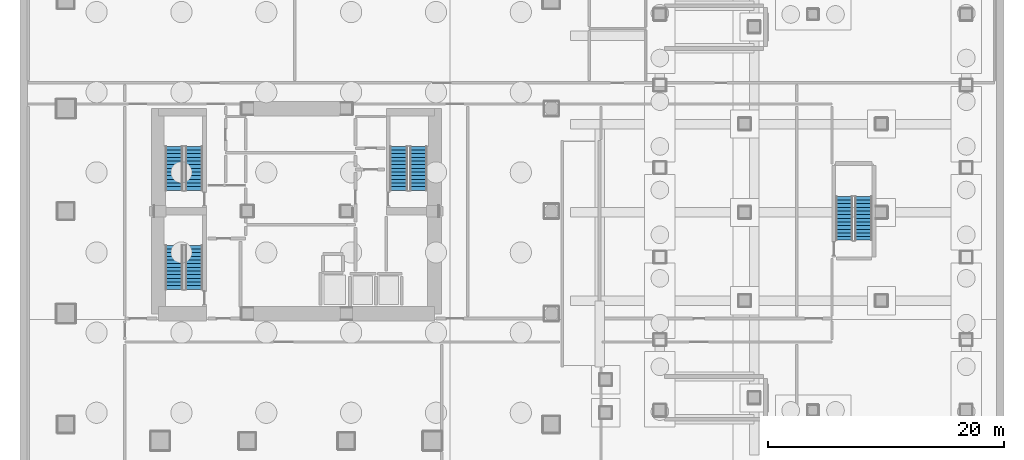
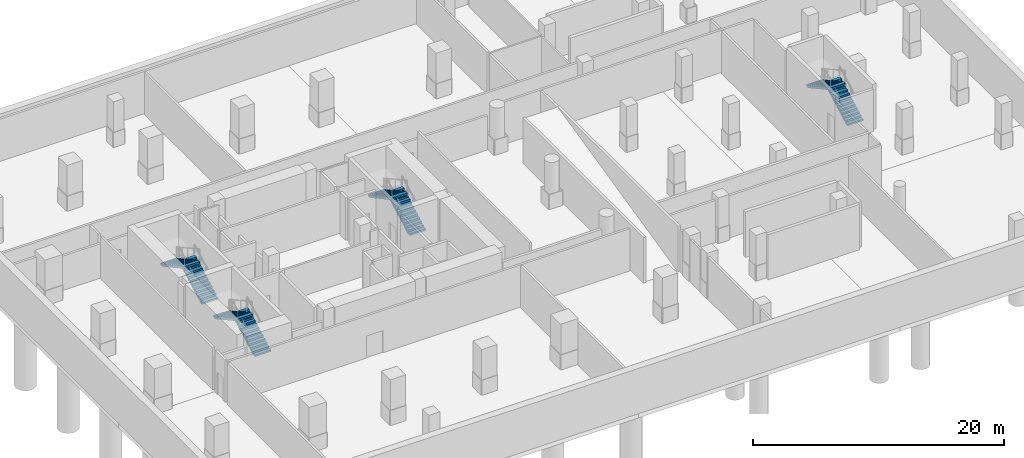
# One storey, part 10 of 13: 8 stair flights, 4 elements without a shape of their own.
"""IFC4 building model written with IfcOpenShell, lengths in metres."""

from ifc_helpers import new_model, si_unit, direction, frame, origin, place, context, subcontext, project, spatial, polyline, outline, extrude, material, type_object, element, aggregate, save


model = new_model("IFC4")

# Units and contexts
model_context = context("Model", 3, precision=1e-05, world=origin(), true_north=direction((0.0, 1.0)))
body_context = subcontext(model_context, "Body", "Model", "MODEL_VIEW")
ifc_project = project(units=[si_unit("LENGTHUNIT", "METRE"), si_unit("AREAUNIT", "SQUARE_METRE"), si_unit("VOLUMEUNIT", "CUBIC_METRE"), si_unit("PLANEANGLEUNIT", "RADIAN"), si_unit("MASSUNIT", "GRAM", prefix="KILO")], contexts=[model_context])

# Site, building, storey
site_placement = place(None, origin())
site = spatial("IfcSite", under=ifc_project, at=site_placement, CompositionType="ELEMENT")
building_placement = place(site_placement, origin())
building = spatial("IfcBuilding", under=site, at=building_placement, Name="Solanera Arch Residences", CompositionType="ELEMENT")
storey_placement = place(building_placement, frame((0.0, 0.0, -13.199951171875)))
storey = spatial("IfcBuildingStorey", under=building, at=storey_placement, Name="B03", CompositionType="ELEMENT", Elevation=-13.199951171875)

# Stair, stair flights
ifc_material_1 = material(Name="Concrete C40/50 (f'c = 45 MPa)", Category="concrete")
stair_type_1 = type_object("IfcStairType", Name="Basement Exit Stair 1440", PredefinedType="HALF_TURN_STAIR", material=ifc_material_1)
stair_1_placement = place(storey_placement, origin())
stair_1 = element("IfcStair", 1, at=stair_1_placement, inside=storey, type_object=stair_type_1, Name="B03 Basement Car Park Exit Stair", PredefinedType="HALF_TURN_STAIR")
ifc_material_2 = material(Name="Concrete C40/50 (f'c = 45 MPa)", Category="concrete")
stair_flight_type_1 = type_object("IfcStairFlightType", Name="Basement Precast Stair Flight 1440", PredefinedType="STRAIGHT", material=ifc_material_2)
stair_flight_1_placement = place(storey_placement, frame((73.080078125, 28.239990234375, 0.0), z_axis=(0.0, 0.0, 1.0), x_axis=(0.0, 1.0, 0.0)))
stair_flight_1 = element("IfcStairFlight", 2, at=stair_flight_1_placement, type_object=stair_flight_type_1, Name="ST-B1 flight 1", NumberOfRisers=13, NumberOfTreads=12, PredefinedType="STRAIGHT", RiserHeight=0.169230769, TreadLength=0.31, context=body_context, shape_type="SweptSolid", body=[
    extrude(outline(polyline([(0.0, 0.0), (0.0, 0.169189453125), (0.31005859375, 0.169189453125), (0.31005859375, 0.33837890625), (0.6201171875, 0.33837890625), (0.6201171875, 0.5078125), (0.929931640625, 0.5078125), (0.929931640625, 0.677001953125), (1.239990234375, 0.677001953125), (1.239990234375, 0.84619140625), (1.550048828125, 0.84619140625), (1.550048828125, 1.015380859375), (1.860107421875, 1.015380859375), (1.860107421875, 1.1845703125), (2.169921875, 1.1845703125), (2.169921875, 1.353759765625), (2.47998046875, 1.353759765625), (2.47998046875, 1.523193359375), (2.7900390625, 1.523193359375), (2.7900390625, 1.6923828125), (3.10009765625, 1.6923828125), (3.10009765625, 1.861572265625), (3.409912109375, 1.861572265625), (3.409912109375, 2.03076171875), (3.719970703125, 2.03076171875), (3.719970703125, 2.199951171875), (3.719970703125, 1.85986328125), (0.312744140625, 0.0), (0.0, 0.0)])), frame((0.0, 0.719970703125, 0.0), z_axis=(0.0, -1.0, 0.0), x_axis=(1.0, 0.0, 0.0)), (0.0, 0.0, 1.0), 1.43994140625),
])
stair_flight_2_placement = place(storey_placement, frame((71.43994140625, 31.9599609375, 2.199951171875), z_axis=(0.0, 0.0, 1.0), x_axis=(0.0, -1.0, 0.0)))
stair_flight_2 = element("IfcStairFlight", 3, at=stair_flight_2_placement, type_object=stair_flight_type_1, Name="ST-B1 flight 2", NumberOfRisers=13, NumberOfTreads=12, PredefinedType="STRAIGHT", RiserHeight=0.169230769, TreadLength=0.31, context=body_context, shape_type="SweptSolid", body=[
    extrude(outline(polyline([(0.0, 0.0), (0.0, 0.169189453125), (0.31005859375, 0.169189453125), (0.31005859375, 0.33837890625), (0.6201171875, 0.33837890625), (0.6201171875, 0.5078125), (0.929931640625, 0.5078125), (0.929931640625, 0.677001953125), (1.239990234375, 0.677001953125), (1.239990234375, 0.84619140625), (1.550048828125, 0.84619140625), (1.550048828125, 1.015380859375), (1.860107421875, 1.015380859375), (1.860107421875, 1.1845703125), (2.169921875, 1.1845703125), (2.169921875, 1.353759765625), (2.47998046875, 1.353759765625), (2.47998046875, 1.523193359375), (2.7900390625, 1.523193359375), (2.7900390625, 1.6923828125), (3.10009765625, 1.6923828125), (3.10009765625, 1.861572265625), (3.409912109375, 1.861572265625), (3.409912109375, 2.03076171875), (3.719970703125, 2.03076171875), (3.719970703125, 2.199951171875), (3.719970703125, 1.85986328125), (0.312744140625, 0.0), (0.0, 0.0)])), frame((0.0, 0.719970703125, 0.0), z_axis=(0.0, -1.0, 0.0), x_axis=(1.0, 0.0, 0.0)), (0.0, 0.0, 1.0), 1.43994140625),
])
aggregate(stair_1, [stair_flight_1, stair_flight_2])

ifc_material_3 = material(Name="Concrete C40/50 (f'c = 45 MPa)", Category="concrete")
stair_type_2 = type_object("IfcStairType", Name="Tower Dogleg Exit Stair 1480", PredefinedType="HALF_TURN_STAIR", material=ifc_material_3)
stair_2_placement = place(storey_placement, origin())
stair_2 = element("IfcStair", 4, at=stair_2_placement, inside=storey, type_object=stair_type_2, Name="B03 Tower Core Exit Stair 1", PredefinedType="HALF_TURN_STAIR")
ifc_material_4 = material(Name="Concrete C40/50 (f'c = 45 MPa)", Category="concrete")
stair_flight_type_2 = type_object("IfcStairFlightType", Name="Tower Precast Stair Flight 1480", PredefinedType="STRAIGHT", material=ifc_material_4)
stair_flight_3_placement = place(storey_placement, frame((16.260009765625, 32.47998046875, 0.0), z_axis=(0.0, 0.0, 1.0), x_axis=(0.0, 1.0, 0.0)))
stair_flight_3 = element("IfcStairFlight", 5, at=stair_flight_3_placement, type_object=stair_flight_type_2, Name="ST-T1 flight 1", NumberOfRisers=13, NumberOfTreads=12, PredefinedType="STRAIGHT", RiserHeight=0.169230769, TreadLength=0.31, context=body_context, shape_type="SweptSolid", body=[
    extrude(outline(polyline([(0.0, 0.0), (0.0, 0.169189453125), (0.31005859375, 0.169189453125), (0.31005859375, 0.33837890625), (0.6201171875, 0.33837890625), (0.6201171875, 0.5078125), (0.929931640625, 0.5078125), (0.929931640625, 0.677001953125), (1.239990234375, 0.677001953125), (1.239990234375, 0.84619140625), (1.550048828125, 0.84619140625), (1.550048828125, 1.015380859375), (1.860107421875, 1.015380859375), (1.860107421875, 1.1845703125), (2.169921875, 1.1845703125), (2.169921875, 1.353759765625), (2.47998046875, 1.353759765625), (2.47998046875, 1.523193359375), (2.7900390625, 1.523193359375), (2.7900390625, 1.6923828125), (3.10009765625, 1.6923828125), (3.10009765625, 1.861572265625), (3.409912109375, 1.861572265625), (3.409912109375, 2.03076171875), (3.719970703125, 2.03076171875), (3.719970703125, 2.199951171875), (3.719970703125, 1.85986328125), (0.312744140625, 0.0), (0.0, 0.0)])), frame((0.0, 0.739990234375, 0.0), z_axis=(0.0, -1.0, 0.0), x_axis=(1.0, 0.0, 0.0)), (0.0, 0.0, 1.0), 1.47998046875),
])
stair_flight_4_placement = place(storey_placement, frame((14.580078125, 36.199951171875, 2.199951171875), z_axis=(0.0, 0.0, 1.0), x_axis=(0.0, -1.0, 0.0)))
stair_flight_4 = element("IfcStairFlight", 6, at=stair_flight_4_placement, type_object=stair_flight_type_2, Name="ST-T1 flight 2", NumberOfRisers=13, NumberOfTreads=12, PredefinedType="STRAIGHT", RiserHeight=0.169230769, TreadLength=0.31, context=body_context, shape_type="SweptSolid", body=[
    extrude(outline(polyline([(0.0, 0.0), (0.0, 0.169189453125), (0.31005859375, 0.169189453125), (0.31005859375, 0.33837890625), (0.6201171875, 0.33837890625), (0.6201171875, 0.5078125), (0.929931640625, 0.5078125), (0.929931640625, 0.677001953125), (1.239990234375, 0.677001953125), (1.239990234375, 0.84619140625), (1.550048828125, 0.84619140625), (1.550048828125, 1.015380859375), (1.860107421875, 1.015380859375), (1.860107421875, 1.1845703125), (2.169921875, 1.1845703125), (2.169921875, 1.353759765625), (2.47998046875, 1.353759765625), (2.47998046875, 1.523193359375), (2.7900390625, 1.523193359375), (2.7900390625, 1.6923828125), (3.10009765625, 1.6923828125), (3.10009765625, 1.861572265625), (3.409912109375, 1.861572265625), (3.409912109375, 2.03076171875), (3.719970703125, 2.03076171875), (3.719970703125, 2.199951171875), (3.719970703125, 1.85986328125), (0.312744140625, 0.0), (0.0, 0.0)])), frame((0.0, 0.739990234375, 0.0), z_axis=(0.0, -1.0, 0.0), x_axis=(1.0, 0.0, 0.0)), (0.0, 0.0, 1.0), 1.47998046875),
])
aggregate(stair_2, [stair_flight_3, stair_flight_4])

stair_3_placement = place(storey_placement, origin())
stair_3 = element("IfcStair", 7, at=stair_3_placement, inside=storey, type_object=stair_type_2, Name="B03 Tower Core Exit Stair 2", PredefinedType="HALF_TURN_STAIR")
stair_flight_5_placement = place(storey_placement, frame((35.320068359375, 32.47998046875, 0.0), z_axis=(0.0, 0.0, 1.0), x_axis=(0.0, 1.0, 0.0)))
stair_flight_5 = element("IfcStairFlight", 8, at=stair_flight_5_placement, type_object=stair_flight_type_2, Name="ST-T2 flight 1", NumberOfRisers=13, NumberOfTreads=12, PredefinedType="STRAIGHT", RiserHeight=0.169230769, TreadLength=0.31, context=body_context, shape_type="SweptSolid", body=[
    extrude(outline(polyline([(0.0, 0.0), (0.0, 0.169189453125), (0.31005859375, 0.169189453125), (0.31005859375, 0.33837890625), (0.6201171875, 0.33837890625), (0.6201171875, 0.5078125), (0.929931640625, 0.5078125), (0.929931640625, 0.677001953125), (1.239990234375, 0.677001953125), (1.239990234375, 0.84619140625), (1.550048828125, 0.84619140625), (1.550048828125, 1.015380859375), (1.860107421875, 1.015380859375), (1.860107421875, 1.1845703125), (2.169921875, 1.1845703125), (2.169921875, 1.353759765625), (2.47998046875, 1.353759765625), (2.47998046875, 1.523193359375), (2.7900390625, 1.523193359375), (2.7900390625, 1.6923828125), (3.10009765625, 1.6923828125), (3.10009765625, 1.861572265625), (3.409912109375, 1.861572265625), (3.409912109375, 2.03076171875), (3.719970703125, 2.03076171875), (3.719970703125, 2.199951171875), (3.719970703125, 1.85986328125), (0.312744140625, 0.0), (0.0, 0.0)])), frame((0.0, 0.739990234375, 0.0), z_axis=(0.0, -1.0, 0.0), x_axis=(1.0, 0.0, 0.0)), (0.0, 0.0, 1.0), 1.47998046875),
])
stair_flight_6_placement = place(storey_placement, frame((33.639892578125, 36.199951171875, 2.199951171875), z_axis=(0.0, 0.0, 1.0), x_axis=(0.0, -1.0, 0.0)))
stair_flight_6 = element("IfcStairFlight", 9, at=stair_flight_6_placement, type_object=stair_flight_type_2, Name="ST-T2 flight 2", NumberOfRisers=13, NumberOfTreads=12, PredefinedType="STRAIGHT", RiserHeight=0.169230769, TreadLength=0.31, context=body_context, shape_type="SweptSolid", body=[
    extrude(outline(polyline([(0.0, 0.0), (0.0, 0.169189453125), (0.31005859375, 0.169189453125), (0.31005859375, 0.33837890625), (0.6201171875, 0.33837890625), (0.6201171875, 0.5078125), (0.929931640625, 0.5078125), (0.929931640625, 0.677001953125), (1.239990234375, 0.677001953125), (1.239990234375, 0.84619140625), (1.550048828125, 0.84619140625), (1.550048828125, 1.015380859375), (1.860107421875, 1.015380859375), (1.860107421875, 1.1845703125), (2.169921875, 1.1845703125), (2.169921875, 1.353759765625), (2.47998046875, 1.353759765625), (2.47998046875, 1.523193359375), (2.7900390625, 1.523193359375), (2.7900390625, 1.6923828125), (3.10009765625, 1.6923828125), (3.10009765625, 1.861572265625), (3.409912109375, 1.861572265625), (3.409912109375, 2.03076171875), (3.719970703125, 2.03076171875), (3.719970703125, 2.199951171875), (3.719970703125, 1.85986328125), (0.312744140625, 0.0), (0.0, 0.0)])), frame((0.0, 0.739990234375, 0.0), z_axis=(0.0, -1.0, 0.0), x_axis=(1.0, 0.0, 0.0)), (0.0, 0.0, 1.0), 1.47998046875),
])
aggregate(stair_3, [stair_flight_5, stair_flight_6])

stair_4_placement = place(storey_placement, origin())
stair_4 = element("IfcStair", 10, at=stair_4_placement, inside=storey, type_object=stair_type_2, Name="B03 Tower Core Exit Stair 3", PredefinedType="HALF_TURN_STAIR")
stair_flight_7_placement = place(storey_placement, frame((16.260009765625, 24.080078125, 0.0), z_axis=(0.0, 0.0, 1.0), x_axis=(0.0, 1.0, 0.0)))
stair_flight_7 = element("IfcStairFlight", 11, at=stair_flight_7_placement, type_object=stair_flight_type_2, Name="ST-T3 flight 1", NumberOfRisers=13, NumberOfTreads=12, PredefinedType="STRAIGHT", RiserHeight=0.169230769, TreadLength=0.31, context=body_context, shape_type="SweptSolid", body=[
    extrude(outline(polyline([(0.0, 0.0), (0.0, 0.169189453125), (0.31005859375, 0.169189453125), (0.31005859375, 0.33837890625), (0.6201171875, 0.33837890625), (0.6201171875, 0.5078125), (0.929931640625, 0.5078125), (0.929931640625, 0.677001953125), (1.239990234375, 0.677001953125), (1.239990234375, 0.84619140625), (1.550048828125, 0.84619140625), (1.550048828125, 1.015380859375), (1.860107421875, 1.015380859375), (1.860107421875, 1.1845703125), (2.169921875, 1.1845703125), (2.169921875, 1.353759765625), (2.47998046875, 1.353759765625), (2.47998046875, 1.523193359375), (2.7900390625, 1.523193359375), (2.7900390625, 1.6923828125), (3.10009765625, 1.6923828125), (3.10009765625, 1.861572265625), (3.409912109375, 1.861572265625), (3.409912109375, 2.03076171875), (3.719970703125, 2.03076171875), (3.719970703125, 2.199951171875), (3.719970703125, 1.85986328125), (0.312744140625, 0.0), (0.0, 0.0)])), frame((0.0, 0.739990234375, 0.0), z_axis=(0.0, -1.0, 0.0), x_axis=(1.0, 0.0, 0.0)), (0.0, 0.0, 1.0), 1.47998046875),
])
stair_flight_8_placement = place(storey_placement, frame((14.580078125, 27.800048828125, 2.199951171875), z_axis=(0.0, 0.0, 1.0), x_axis=(0.0, -1.0, 0.0)))
stair_flight_8 = element("IfcStairFlight", 12, at=stair_flight_8_placement, type_object=stair_flight_type_2, Name="ST-T3 flight 2", NumberOfRisers=13, NumberOfTreads=12, PredefinedType="STRAIGHT", RiserHeight=0.169230769, TreadLength=0.31, context=body_context, shape_type="SweptSolid", body=[
    extrude(outline(polyline([(0.0, 0.0), (0.0, 0.169189453125), (0.31005859375, 0.169189453125), (0.31005859375, 0.33837890625), (0.6201171875, 0.33837890625), (0.6201171875, 0.5078125), (0.929931640625, 0.5078125), (0.929931640625, 0.677001953125), (1.239990234375, 0.677001953125), (1.239990234375, 0.84619140625), (1.550048828125, 0.84619140625), (1.550048828125, 1.015380859375), (1.860107421875, 1.015380859375), (1.860107421875, 1.1845703125), (2.169921875, 1.1845703125), (2.169921875, 1.353759765625), (2.47998046875, 1.353759765625), (2.47998046875, 1.523193359375), (2.7900390625, 1.523193359375), (2.7900390625, 1.6923828125), (3.10009765625, 1.6923828125), (3.10009765625, 1.861572265625), (3.409912109375, 1.861572265625), (3.409912109375, 2.03076171875), (3.719970703125, 2.03076171875), (3.719970703125, 2.199951171875), (3.719970703125, 1.85986328125), (0.312744140625, 0.0), (0.0, 0.0)])), frame((0.0, 0.739990234375, 0.0), z_axis=(0.0, -1.0, 0.0), x_axis=(1.0, 0.0, 0.0)), (0.0, 0.0, 1.0), 1.47998046875),
])
aggregate(stair_4, [stair_flight_7, stair_flight_8])

save(model, "model.ifc")
